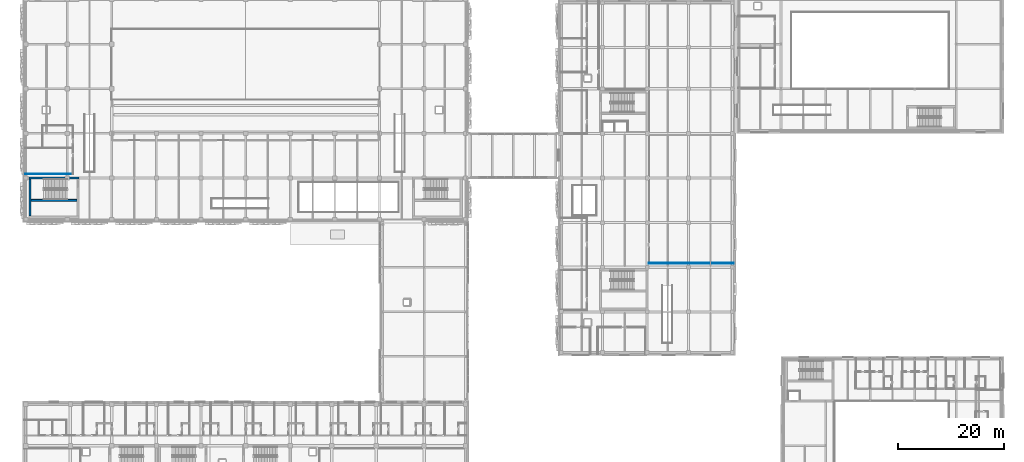
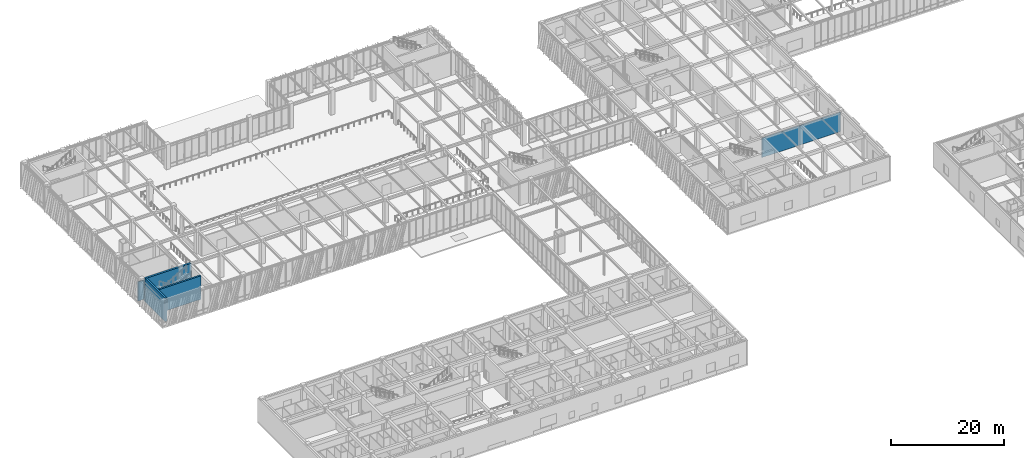
# One storey, part 111 of 139: 5 walls.
"""IFC4 building model written with IfcOpenShell, lengths in metres."""

from ifc_helpers import new_model, si_unit, direction, frame, frame_2d, origin, place, context, subcontext, project, spatial, rectangle, extrude, material, layer, layer_set, type_object, element, save


model = new_model("IFC4")

# Units and contexts
model_context = context("Model", 3, precision=1e-05, world=origin(), true_north=direction((0.0, 1.0)))
body_context = subcontext(model_context, "Body", "Model", "MODEL_VIEW")
ifc_project = project(units=[si_unit("LENGTHUNIT", "METRE"), si_unit("AREAUNIT", "SQUARE_METRE"), si_unit("VOLUMEUNIT", "CUBIC_METRE"), si_unit("PLANEANGLEUNIT", "RADIAN"), si_unit("MASSUNIT", "GRAM", prefix="KILO")], contexts=[model_context])

# Site, building, storey
site_placement = place(None, origin())
site = spatial("IfcSite", under=ifc_project, at=site_placement, CompositionType="ELEMENT")
building_placement = place(site_placement, origin())
building = spatial("IfcBuilding", under=site, at=building_placement, Name="Zayran Congress Hotel", CompositionType="ELEMENT")
storey_placement = place(building_placement, frame((0.0, 0.0, 5.39990234375)))
storey = spatial("IfcBuildingStorey", under=building, at=storey_placement, Name="L01", CompositionType="ELEMENT", Elevation=5.39990234375)

# Walls
ifc_material_1 = material(Name="Concrete C40/50", Category="concrete")
ifc_layer_1 = layer(ifc_material_1, 0.39990234375)
ifc_layer_set_1 = layer_set([ifc_layer_1], Name="Concrete C40/50")
wall_type_1 = type_object("IfcWallType", Name="WL-SH-400", PredefinedType="SHEAR", material=ifc_layer_set_1)
wall_1_placement = place(storey_placement, frame((19.0, 75.985107421875, 0.0), z_axis=(0.0, 0.0, 1.0), x_axis=(-1.0, 0.0, 0.0)))
element("IfcWall", 1, at=wall_1_placement, inside=storey, type_object=wall_type_1, Name="CWALL-C-V1S-L01-N", PredefinedType="SHEAR", context=body_context, shape_type="SweptSolid", body=[
    extrude(rectangle(XDim=9.39990234375, YDim=0.39990234375, at=frame_2d((4.699951171875, 0.0))), origin(), (0.0, 0.0, 1.0), 5.080078125),
])
wall_2_placement = place(storey_placement, frame((9.800048828125, 75.800048828125, 0.0), z_axis=(0.0, 0.0, 1.0), x_axis=(0.0, -1.0, 0.0)))
element("IfcWall", 2, at=wall_2_placement, inside=storey, type_object=wall_type_1, Name="CWALL-C-V1S-L01-W", PredefinedType="SHEAR", context=body_context, shape_type="SweptSolid", body=[
    extrude(rectangle(XDim=7.0, YDim=0.39990234375, at=frame_2d((3.5, 0.0))), origin(), (0.0, 0.0, 1.0), 5.080078125),
])
ifc_layer_2 = layer(ifc_material_1, 0.35009765625)
ifc_layer_set_2 = layer_set([ifc_layer_2], Name="Concrete C40/50")
wall_type_2 = type_object("IfcWallType", Name="WL-SH-350", PredefinedType="SHEAR", material=ifc_layer_set_2)
wall_3_placement = place(storey_placement, frame((10.0, 71.784912109375, 0.0), z_axis=(0.0, 0.0, 1.0), x_axis=(1.0, 0.0, 0.0)))
element("IfcWall", 3, at=wall_3_placement, inside=storey, type_object=wall_type_2, Name="CWALL-C-V1S-L01-SPN", PredefinedType="SHEAR", context=body_context, shape_type="SweptSolid", body=[
    extrude(rectangle(XDim=8.60009765625, YDim=0.35009765625, at=frame_2d((4.300048828125, 0.0))), origin(), (0.0, 0.0, 1.0), 5.080078125),
])
ifc_material_2 = material(Name="Acoustic twin-stud gypsum partition", Category="gypsum")
ifc_layer_3 = layer(ifc_material_2, 0.159912109375)
ifc_layer_set_3 = layer_set([ifc_layer_3], Name="Acoustic twin-stud gypsum partition")
wall_type_3 = type_object("IfcWallType", Name="WL-PT-160", PredefinedType="PARTITIONING", material=ifc_layer_set_3)
wall_4_placement = place(storey_placement, frame((126.320068359375, 59.919921875, 0.0), z_axis=(0.0, 0.0, 1.0), x_axis=(1.0, 0.0, 0.0)))
element("IfcWall", 4, at=wall_4_placement, inside=storey, type_object=wall_type_3, Name="IW-L01-1733", PredefinedType="PARTITIONING", context=body_context, shape_type="SweptSolid", body=[
    extrude(rectangle(XDim=16.030029296875, YDim=0.159912109375, at=frame_2d((8.01513671875, 0.0))), origin(), (0.0, 0.0, 1.0), 4.18017578125),
])
ifc_material_3 = material(Name="Moisture-resistant bathroom partition", Category="gypsum")
ifc_layer_4 = layer(ifc_material_3, 0.1201171875)
ifc_layer_set_4 = layer_set([ifc_layer_4], Name="Moisture-resistant bathroom partition")
wall_type_4 = type_object("IfcWallType", Name="WL-PT-120", PredefinedType="PARTITIONING", material=ifc_layer_set_4)
wall_5_placement = place(storey_placement, frame((8.639892578125, 76.72998046875, 0.0), z_axis=(0.0, 0.0, 1.0), x_axis=(1.0, 0.0, 0.0)))
element("IfcWall", 5, at=wall_5_placement, inside=storey, type_object=wall_type_4, Name="IW-L01-1557", PredefinedType="PARTITIONING", context=body_context, shape_type="SweptSolid", body=[
    extrude(rectangle(XDim=9.239990234375, YDim=0.1201171875, at=frame_2d((4.6201171875, 0.0))), origin(), (0.0, 0.0, 1.0), 4.18017578125),
])

save(model, "model.ifc")
